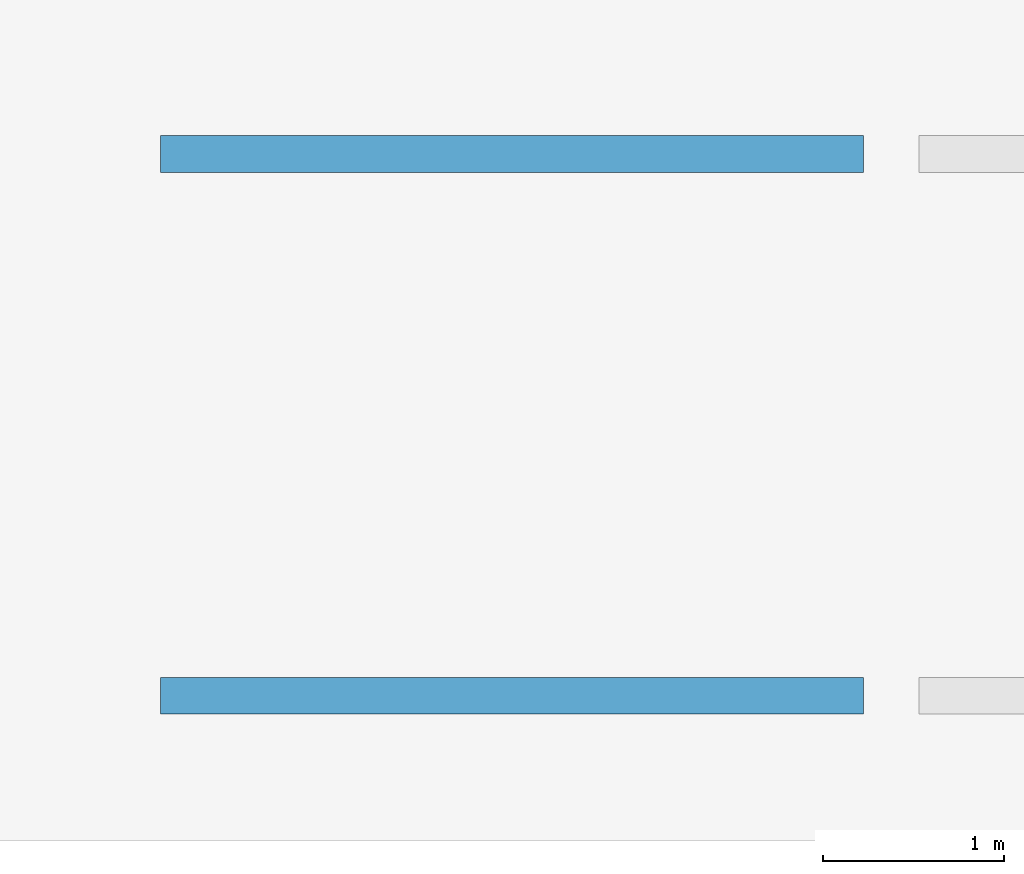
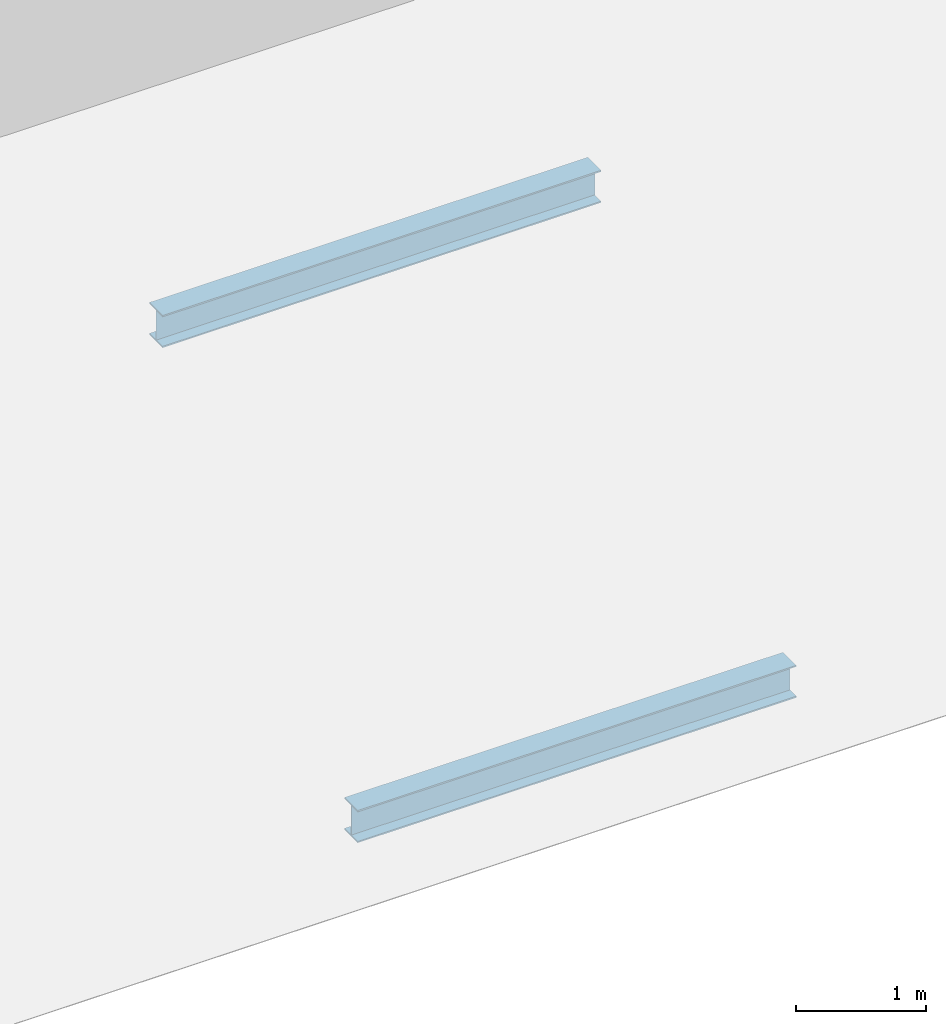
# One storey, part 3 of 23: 2 members.
"""IFC4 building model written with IfcOpenShell, lengths in metres."""

from ifc_helpers import new_model, si_unit, direction, frame, origin, origin_2d, place, context, subcontext, project, spatial, i_section, extrude, material, material_profile, profile_set, type_object, element, save


model = new_model("IFC4")

# Units and contexts
model_context = context("Model", 3, precision=1e-05, world=origin(), true_north=direction((0.0, 1.0)))
body_context = subcontext(model_context, "Body", "Model", "MODEL_VIEW")
ifc_project = project(units=[si_unit("LENGTHUNIT", "METRE"), si_unit("AREAUNIT", "SQUARE_METRE"), si_unit("VOLUMEUNIT", "CUBIC_METRE"), si_unit("PLANEANGLEUNIT", "RADIAN"), si_unit("MASSUNIT", "GRAM", prefix="KILO")], contexts=[model_context])

# Site, building, storey
site_placement = place(None, origin())
site = spatial("IfcSite", under=ifc_project, at=site_placement, CompositionType="ELEMENT")
building_placement = place(site_placement, origin())
building = spatial("IfcBuilding", under=site, at=building_placement, Name="Ostrander Bayou Hotel Tower", CompositionType="ELEMENT")
storey_placement = place(building_placement, frame((0.0, 0.0, 279.5)))
storey = spatial("IfcBuildingStorey", under=building, at=storey_placement, Name="L69", CompositionType="ELEMENT", Elevation=279.5)

# Members
ifc_material = material(Name="Steel ASTM A992", Category="steel")
ifc_material_profile = material_profile(ifc_material, i_section(OverallWidth=0.203369140625, OverallDepth=0.30322265625, WebThickness=0.007568359375, FlangeThickness=0.01318359375, at=origin_2d()))
ifc_profile_set = profile_set([ifc_material_profile], Name="Steel ASTM A992")
member_type = type_object("IfcMemberType", Name="CP3 crown purlin W12x40", PredefinedType="PURLIN", material=ifc_profile_set)
for number, where, z_axis, x_axis, name in (
    (1, (-8.24609375, -10.56591796875, 0.25830078125), (1.0, 0.0, 0.0), (0.0, 1.0, 0.0), "CP3 P1-2"),
    (2, (-8.24609375, -7.56591796875, 3.083984375), (1.0, 0.0, 0.0), (0.0, 1.0, 0.0), "CP3 P1-3"),
):
    element("IfcMember", number, at=place(storey_placement, frame(where, z_axis=z_axis, x_axis=x_axis)), inside=storey, type_object=member_type, Name=name, PredefinedType="PURLIN", context=body_context, shape_type="SweptSolid", body=[
        extrude(i_section(OverallWidth=0.203369140625, OverallDepth=0.30322265625, WebThickness=0.007568359375, FlangeThickness=0.01318359375, at=origin_2d()), origin(), (0.0, 0.0, 1.0), 3.89208984375),
    ])

save(model, "model.ifc")
